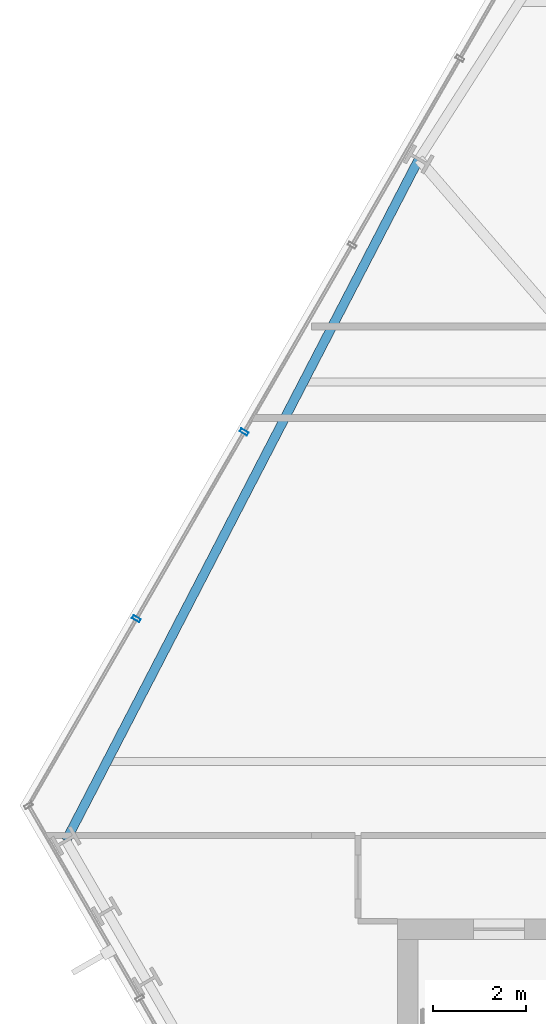
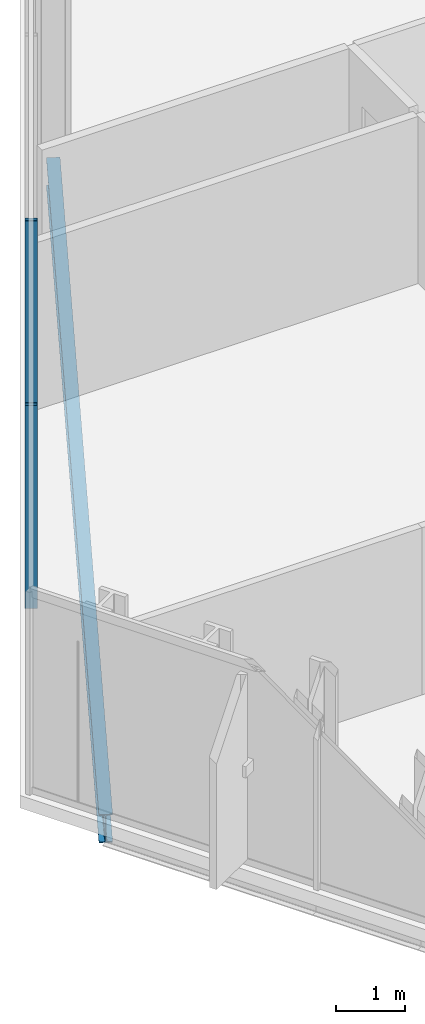
# One storey, part 11 of 33: 2 members, 1 beam, 1 element without a shape of its own.
"""IFC4 building model written with IfcOpenShell, lengths in metres."""

from ifc_helpers import new_model, si_unit, direction, frame, origin, origin_2d, place, context, subcontext, project, spatial, hollow_rectangle, i_section, extrude, material, layer, layer_set, material_profile, profile_set, type_object, element, aggregate, save


model = new_model("IFC4")

# Units and contexts
model_context = context("Model", 3, precision=1e-05, world=origin(), true_north=direction((0.0, 1.0)))
body_context = subcontext(model_context, "Body", "Model", "MODEL_VIEW")
ifc_project = project(units=[si_unit("LENGTHUNIT", "METRE"), si_unit("AREAUNIT", "SQUARE_METRE"), si_unit("VOLUMEUNIT", "CUBIC_METRE"), si_unit("PLANEANGLEUNIT", "RADIAN"), si_unit("MASSUNIT", "GRAM", prefix="KILO")], contexts=[model_context])

# Site, building, storey
site_placement = place(None, origin())
site = spatial("IfcSite", under=ifc_project, at=site_placement, CompositionType="ELEMENT")
building_placement = place(site_placement, origin())
building = spatial("IfcBuilding", under=site, at=building_placement, Name="Ndaravel Arena Tower", CompositionType="ELEMENT")
storey_placement = place(building_placement, frame((0.0, 0.0, 85.39990234375)))
storey = spatial("IfcBuildingStorey", under=building, at=storey_placement, Name="L19", CompositionType="ELEMENT", Elevation=85.39990234375)

# Beam
ifc_material_1 = material(Name="Steel S355", Category="steel")
ifc_material_profile_1 = material_profile(ifc_material_1, i_section(OverallWidth=0.199951171875, OverallDepth=0.5, WebThickness=0.01025390625, FlangeThickness=0.01611328125, FilletRadius=0.02099609375, at=origin_2d()), Name="IPE 500")
ifc_profile_set_1 = profile_set([ifc_material_profile_1], Name="Steel S355")
beam_type = type_object("IfcBeamType", Name="BM-SPAN-IPE500", PredefinedType="SPANDREL", material=ifc_profile_set_1)
beam_placement = place(storey_placement, frame((26.912841796875, 31.61181640625, -0.469970703125), z_axis=(-0.459755761058, -0.888045404342, 0.0), x_axis=(0.888045404342, -0.459755761058, 0.0)))
element("IfcBeam", 1, at=beam_placement, inside=storey, type_object=beam_type, Name="L19 Perimeter Spandrel Beam SP-19", PredefinedType="SPANDREL", context=body_context, shape_type="SweptSolid", body=[
    extrude(i_section(OverallWidth=0.199951171875, OverallDepth=0.5, WebThickness=0.01025390625, FlangeThickness=0.01611328125, FilletRadius=0.02099609375, at=origin_2d()), origin(), (0.0, 0.0, 1.0), 16.58056640625),
])

# Curtain wall, members
ifc_material_2 = material(Name="Aluminium", Category="aluminium")
ifc_layer = layer(ifc_material_2, 0.179931640625)
ifc_layer_set = layer_set([ifc_layer], Name="Aluminium")
curtain_wall_type = type_object("IfcCurtainWallType", Name="CW-SYS-03", PredefinedType="NOTDEFINED", material=ifc_layer_set)
curtain_wall_placement = place(storey_placement, origin())
curtain_wall = element("IfcCurtainWall", 2, at=curtain_wall_placement, inside=storey, type_object=curtain_wall_type, Name="L19 Faceted Crystal Curtain Wall CW-L19-E05", PredefinedType="NOTDEFINED")
ifc_material_3 = material(Name="Aluminium", Category="aluminium")
ifc_material_profile_2 = material_profile(ifc_material_3, hollow_rectangle(XDim=0.074951171875, YDim=0.179931640625, WallThickness=0.00390625, at=origin_2d()), Name="CW MULLION 75x180x4")
ifc_profile_set_2 = profile_set([ifc_material_profile_2], Name="Aluminium")
member_type = type_object("IfcMemberType", Name="MEM-CW-MUL180", PredefinedType="MULLION", material=ifc_profile_set_2)
member_1_placement = place(storey_placement, frame((23.140869140625, 25.71875, 0.0), z_axis=(0.0, 0.0, 1.0), x_axis=(-0.5, -0.866025403784, 0.0)))
member_1 = element("IfcMember", 3, at=member_1_placement, type_object=member_type, Name="CW-L19-E05 Mullion 05", PredefinedType="MULLION", context=body_context, shape_type="SweptSolid", body=[
    extrude(hollow_rectangle(XDim=0.074951171875, YDim=0.179931640625, WallThickness=0.00390625, at=origin_2d()), origin(), (0.0, 0.0, 1.0), 3.580078125),
])
member_2_placement = place(storey_placement, frame((20.81103515625, 21.683349609375, 0.0), z_axis=(0.0, 0.0, 1.0), x_axis=(-0.5, -0.866025403784, 0.0)))
member_2 = element("IfcMember", 4, at=member_2_placement, type_object=member_type, Name="CW-L19-E05 Mullion 06", PredefinedType="MULLION", context=body_context, shape_type="SweptSolid", body=[
    extrude(hollow_rectangle(XDim=0.074951171875, YDim=0.179931640625, WallThickness=0.00390625, at=origin_2d()), origin(), (0.0, 0.0, 1.0), 3.580078125),
])
aggregate(curtain_wall, [member_1, member_2])

save(model, "model.ifc")
